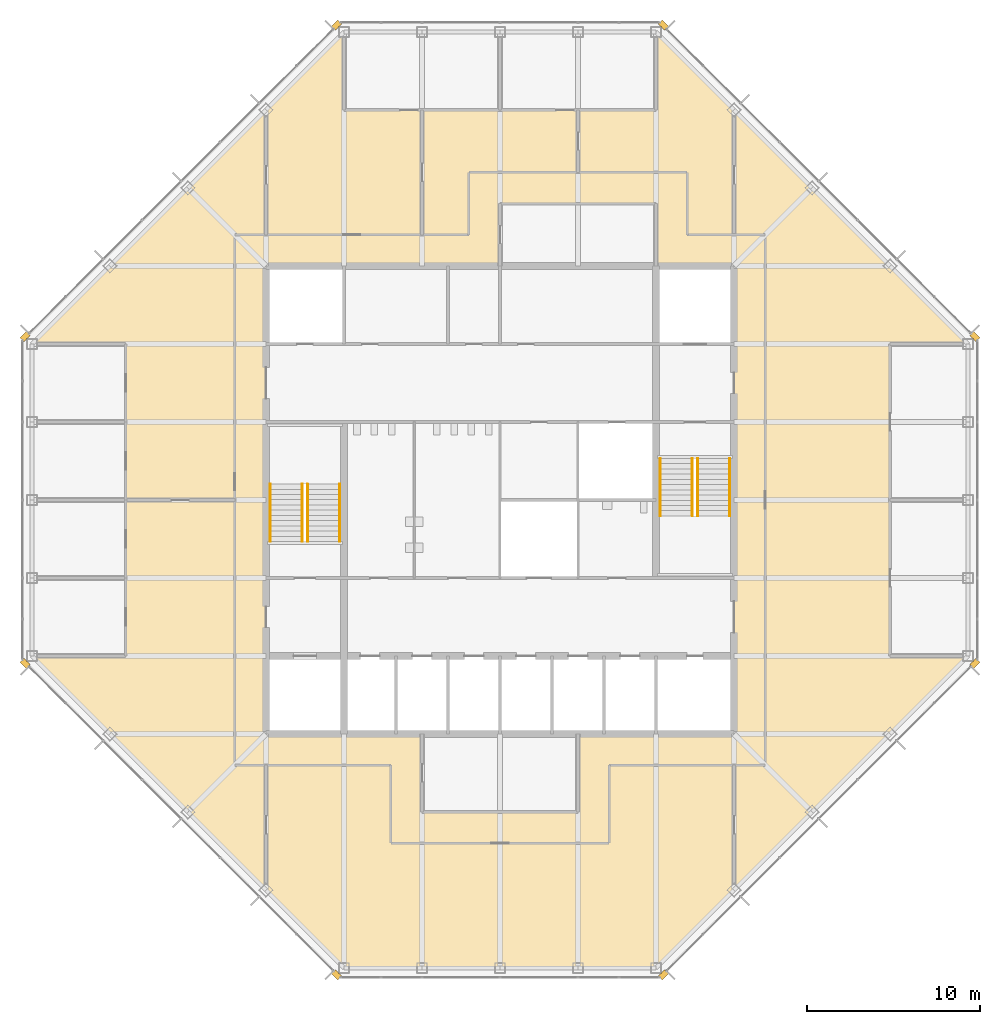
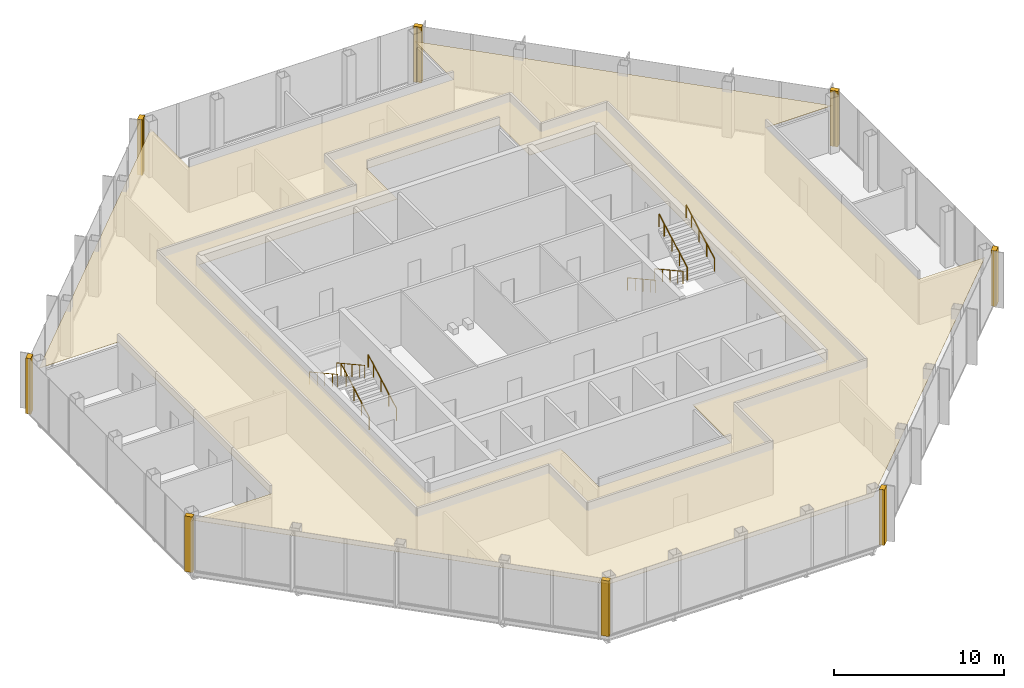
# One storey, part 13 of 14: 9 coverings, 8 railings.
"""IFC4 building model written with IfcOpenShell, lengths in metres."""

from ifc_helpers import new_model, si_unit, direction, frame, origin, origin_2d, place, context, subcontext, project, spatial, polyline, circle, outline, extrude, material, layer, layer_set, type_object, element, save


model = new_model("IFC4")

# Units and contexts
model_context = context("Model", 3, precision=1e-05, world=origin(), true_north=direction((0.0, 1.0)))
body_context = subcontext(model_context, "Body", "Model", "MODEL_VIEW")
ifc_project = project(units=[si_unit("LENGTHUNIT", "METRE"), si_unit("AREAUNIT", "SQUARE_METRE"), si_unit("VOLUMEUNIT", "CUBIC_METRE"), si_unit("PLANEANGLEUNIT", "RADIAN"), si_unit("MASSUNIT", "GRAM", prefix="KILO")], contexts=[model_context])

# Site, building, storey
site_placement = place(None, origin())
site = spatial("IfcSite", under=ifc_project, at=site_placement, CompositionType="ELEMENT")
building_placement = place(site_placement, origin())
building = spatial("IfcBuilding", under=site, at=building_placement, Name="Corais Broadcast Tower", CompositionType="ELEMENT")
storey_placement = place(building_placement, frame((0.0, 0.0, 262.60009765625)))
storey = spatial("IfcBuildingStorey", under=building, at=storey_placement, Name="L61", CompositionType="ELEMENT", Elevation=262.60009765625)

# Railings
ifc_material_1 = material(Name="Stainless steel handrail", Category="steel")
railing_type = type_object("IfcRailingType", Name="Handrail 920", PredefinedType="HANDRAIL", material=ifc_material_1)
for number, where, name in (
    (1, (17.75, 24.60009765625, 0.16650390625), "HR1 L61"),
    (2, (15.89990234375, 24.60009765625, 0.16650390625), "HR1 L61"),
):
    element("IfcRailing", number, at=place(storey_placement, frame(where)), inside=storey, type_object=railing_type, Name=name, PredefinedType="HANDRAIL", context=body_context, shape_type="SweptSolid", body=[
        extrude(circle(Radius=0.02392578125, at=origin_2d()), frame((0.0, 0.0, 0.89599609375), z_axis=(0.0, 0.875504475178, 0.483210010185), x_axis=(-1.0, 0.0, 0.0)), (0.0, 0.0, 1.0), 3.79443359375),
        extrude(circle(Radius=0.02099609375, at=origin_2d()), origin(), (0.0, 0.0, 1.0), 0.871826171875),
        extrude(circle(Radius=0.02099609375, at=origin_2d()), frame((0.0, 0.906005859375, 0.5)), (0.0, 0.0, 1.0), 0.871826171875),
        extrude(circle(Radius=0.02099609375, at=origin_2d()), frame((0.0, 1.81201171875, 1.0)), (0.0, 0.0, 1.0), 0.871826171875),
        extrude(circle(Radius=0.02099609375, at=origin_2d()), frame((0.0, 2.718017578125, 1.500244140625)), (0.0, 0.0, 1.0), 0.871826171875),
        extrude(circle(Radius=0.02099609375, at=origin_2d()), frame((0.0, 3.322021484375, 1.83349609375)), (0.0, 0.0, 1.0), 0.871826171875),
    ])
for number, where, name in (
    (3, (13.75, 27.922119140625, 2.16650390625), "HR1 L61"),
    (4, (15.60009765625, 27.922119140625, 2.16650390625), "HR1 L61"),
    (5, (36.25, 29.39990234375, 0.16650390625), "HR1 L61"),
    (6, (38.10009765625, 29.39990234375, 0.16650390625), "HR1 L61"),
):
    element("IfcRailing", number, at=place(storey_placement, frame(where)), inside=storey, type_object=railing_type, Name=name, PredefinedType="HANDRAIL", context=body_context, shape_type="SweptSolid", body=[
        extrude(circle(Radius=0.02392578125, at=origin_2d()), frame((0.0, 0.0, 0.89599609375), z_axis=(0.0, -0.875504475178, 0.483210010185), x_axis=(1.0, 0.0, 0.0)), (0.0, 0.0, 1.0), 3.79443359375),
        extrude(circle(Radius=0.02099609375, at=origin_2d()), origin(), (0.0, 0.0, 1.0), 0.871826171875),
        extrude(circle(Radius=0.02099609375, at=origin_2d()), frame((0.0, -0.906005859375, 0.5)), (0.0, 0.0, 1.0), 0.871826171875),
        extrude(circle(Radius=0.02099609375, at=origin_2d()), frame((0.0, -1.81201171875, 1.0)), (0.0, 0.0, 1.0), 0.871826171875),
        extrude(circle(Radius=0.02099609375, at=origin_2d()), frame((0.0, -2.718017578125, 1.500244140625)), (0.0, 0.0, 1.0), 0.871826171875),
        extrude(circle(Radius=0.02099609375, at=origin_2d()), frame((0.0, -3.322021484375, 1.83349609375)), (0.0, 0.0, 1.0), 0.871826171875),
    ])
for number, where, name in (
    (7, (40.25, 26.077880859375, 2.16650390625), "HR1 L61"),
    (8, (38.39990234375, 26.077880859375, 2.16650390625), "HR1 L61"),
):
    element("IfcRailing", number, at=place(storey_placement, frame(where)), inside=storey, type_object=railing_type, Name=name, PredefinedType="HANDRAIL", context=body_context, shape_type="SweptSolid", body=[
        extrude(circle(Radius=0.02392578125, at=origin_2d()), frame((0.0, 0.0, 0.89599609375), z_axis=(0.0, 0.875504475178, 0.483210010185), x_axis=(-1.0, 0.0, 0.0)), (0.0, 0.0, 1.0), 3.79443359375),
        extrude(circle(Radius=0.02099609375, at=origin_2d()), origin(), (0.0, 0.0, 1.0), 0.871826171875),
        extrude(circle(Radius=0.02099609375, at=origin_2d()), frame((0.0, 0.906005859375, 0.5)), (0.0, 0.0, 1.0), 0.871826171875),
        extrude(circle(Radius=0.02099609375, at=origin_2d()), frame((0.0, 1.81201171875, 1.0)), (0.0, 0.0, 1.0), 0.871826171875),
        extrude(circle(Radius=0.02099609375, at=origin_2d()), frame((0.0, 2.718017578125, 1.500244140625)), (0.0, 0.0, 1.0), 0.871826171875),
        extrude(circle(Radius=0.02099609375, at=origin_2d()), frame((0.0, 3.322021484375, 1.83349609375)), (0.0, 0.0, 1.0), 0.871826171875),
    ])

# Coverings
ifc_material_2 = material(Name="Granite stone cladding", Category="masonry")
ifc_layer_1 = layer(ifc_material_2, 0.324951171875)
ifc_layer_set_1 = layer_set([ifc_layer_1], Name="Granite stone cladding")
covering_type_1 = type_object("IfcCoveringType", Name="Stone corner pier cladding 500x325", PredefinedType="CLADDING", material=ifc_layer_set_1)
covering_1_placement = place(storey_placement, origin())
element("IfcCovering", 9, at=covering_1_placement, inside=storey, type_object=covering_type_1, Name="SP1 stone corner pier L61", PredefinedType="CLADDING", context=body_context, shape_type="SweptSolid", body=[
    extrude(outline(polyline([(17.860595703125, -0.461669921875), (17.72412109375, -0.324951171875), (17.675048828125, -0.324951171875), (17.675048828125, -0.27587890625), (17.507080078125, -0.108154296875), (17.277099609375, -0.337890625), (17.630859375, -0.69140625), (17.860595703125, -0.461669921875)])), origin(), (0.0, 0.0, 1.0), 4.0),
])
covering_2_placement = place(storey_placement, origin())
element("IfcCovering", 10, at=covering_2_placement, inside=storey, type_object=covering_type_1, Name="SP1 stone corner pier L61", PredefinedType="CLADDING", context=body_context, shape_type="SweptSolid", body=[
    extrude(outline(polyline([(-0.324951171875, 17.72412109375), (-0.461669921875, 17.860595703125), (-0.69140625, 17.630859375), (-0.337890625, 17.277099609375), (-0.108154296875, 17.507080078125), (-0.27587890625, 17.675048828125), (-0.324951171875, 17.675048828125), (-0.324951171875, 17.72412109375)])), origin(), (0.0, 0.0, 1.0), 4.0),
])
covering_3_placement = place(storey_placement, origin())
element("IfcCovering", 11, at=covering_3_placement, inside=storey, type_object=covering_type_1, Name="SP1 stone corner pier L61", PredefinedType="CLADDING", context=body_context, shape_type="SweptSolid", body=[
    extrude(outline(polyline([(-0.461669921875, 36.139404296875), (-0.324951171875, 36.27587890625), (-0.324951171875, 36.324951171875), (-0.27587890625, 36.324951171875), (-0.108154296875, 36.492919921875), (-0.337890625, 36.722900390625), (-0.69140625, 36.369140625), (-0.461669921875, 36.139404296875)])), origin(), (0.0, 0.0, 1.0), 4.0),
])
covering_4_placement = place(storey_placement, origin())
element("IfcCovering", 12, at=covering_4_placement, inside=storey, type_object=covering_type_1, Name="SP1 stone corner pier L61", PredefinedType="CLADDING", context=body_context, shape_type="SweptSolid", body=[
    extrude(outline(polyline([(17.72412109375, 54.324951171875), (17.860595703125, 54.461669921875), (17.630859375, 54.69140625), (17.277099609375, 54.337890625), (17.507080078125, 54.108154296875), (17.675048828125, 54.27587890625), (17.675048828125, 54.324951171875), (17.72412109375, 54.324951171875)])), origin(), (0.0, 0.0, 1.0), 4.0),
])
covering_5_placement = place(storey_placement, origin())
element("IfcCovering", 13, at=covering_5_placement, inside=storey, type_object=covering_type_1, Name="SP1 stone corner pier L61", PredefinedType="CLADDING", context=body_context, shape_type="SweptSolid", body=[
    extrude(outline(polyline([(36.139404296875, 54.461669921875), (36.27587890625, 54.324951171875), (36.324951171875, 54.324951171875), (36.324951171875, 54.27587890625), (36.492919921875, 54.108154296875), (36.722900390625, 54.337890625), (36.369140625, 54.69140625), (36.139404296875, 54.461669921875)])), origin(), (0.0, 0.0, 1.0), 4.0),
])
covering_6_placement = place(storey_placement, origin())
element("IfcCovering", 14, at=covering_6_placement, inside=storey, type_object=covering_type_1, Name="SP1 stone corner pier L61", PredefinedType="CLADDING", context=body_context, shape_type="SweptSolid", body=[
    extrude(outline(polyline([(54.324951171875, 36.27587890625), (54.461669921875, 36.139404296875), (54.69140625, 36.369140625), (54.337890625, 36.722900390625), (54.108154296875, 36.492919921875), (54.27587890625, 36.324951171875), (54.324951171875, 36.324951171875), (54.324951171875, 36.27587890625)])), origin(), (0.0, 0.0, 1.0), 4.0),
])
covering_7_placement = place(storey_placement, origin())
element("IfcCovering", 15, at=covering_7_placement, inside=storey, type_object=covering_type_1, Name="SP1 stone corner pier L61", PredefinedType="CLADDING", context=body_context, shape_type="SweptSolid", body=[
    extrude(outline(polyline([(54.461669921875, 17.860595703125), (54.324951171875, 17.72412109375), (54.324951171875, 17.675048828125), (54.27587890625, 17.675048828125), (54.108154296875, 17.507080078125), (54.337890625, 17.277099609375), (54.69140625, 17.630859375), (54.461669921875, 17.860595703125)])), origin(), (0.0, 0.0, 1.0), 4.0),
])
covering_8_placement = place(storey_placement, origin())
element("IfcCovering", 16, at=covering_8_placement, inside=storey, type_object=covering_type_1, Name="SP1 stone corner pier L61", PredefinedType="CLADDING", context=body_context, shape_type="SweptSolid", body=[
    extrude(outline(polyline([(36.27587890625, -0.324951171875), (36.139404296875, -0.461669921875), (36.369140625, -0.69140625), (36.722900390625, -0.337890625), (36.492919921875, -0.108154296875), (36.324951171875, -0.27587890625), (36.324951171875, -0.324951171875), (36.27587890625, -0.324951171875)])), origin(), (0.0, 0.0, 1.0), 4.0),
])
ifc_material_3 = material(Name="Mineral fibre ceiling tile", Category="mineral")
ifc_layer_2 = layer(ifc_material_3, 0.02001953125)
ifc_layer_set_2 = layer_set([ifc_layer_2], Name="Mineral fibre ceiling tile")
covering_type_2 = type_object("IfcCoveringType", Name="Suspended ceiling", PredefinedType="CEILING", material=ifc_layer_set_2)
covering_9_placement = place(storey_placement, frame((0.0, 0.0, 3.219970703125)))
element("IfcCovering", 17, at=covering_9_placement, inside=storey, type_object=covering_type_2, Name="CE1 ceiling L61", PredefinedType="CEILING", context=body_context, shape_type="SweptSolid", body=[
    extrude(outline(polyline([(13.5, 49.5), (18.0, 54.0), (18.0, 49.5), (36.0, 49.5), (36.0, 54.0), (54.0, 36.0), (49.5, 36.0), (49.5, 18.0), (54.0, 18.0), (40.500244140625, 4.500244140625), (36.0, 0.0), (18.0, 0.0), (13.501708984375, 4.498291015625), (13.50048828125, 4.49951171875), (13.499755859375, 4.500244140625), (0.0, 18.0), (5.39990234375, 18.0), (5.39990234375, 36.0), (0.0, 36.0), (13.5, 49.5)]), holes=[polyline([(36.0, 40.5), (36.0, 44.10009765625), (27.0, 44.10009765625), (27.0, 40.5), (13.5, 40.5), (13.5, 13.5), (22.5, 13.5), (22.5, 9.0), (31.5, 9.0), (31.5, 13.5), (40.5, 13.5), (40.5, 40.5), (36.0, 40.5)])]), origin(), (0.0, 0.0, 1.0), 0.02001953125),
])

save(model, "model.ifc")
